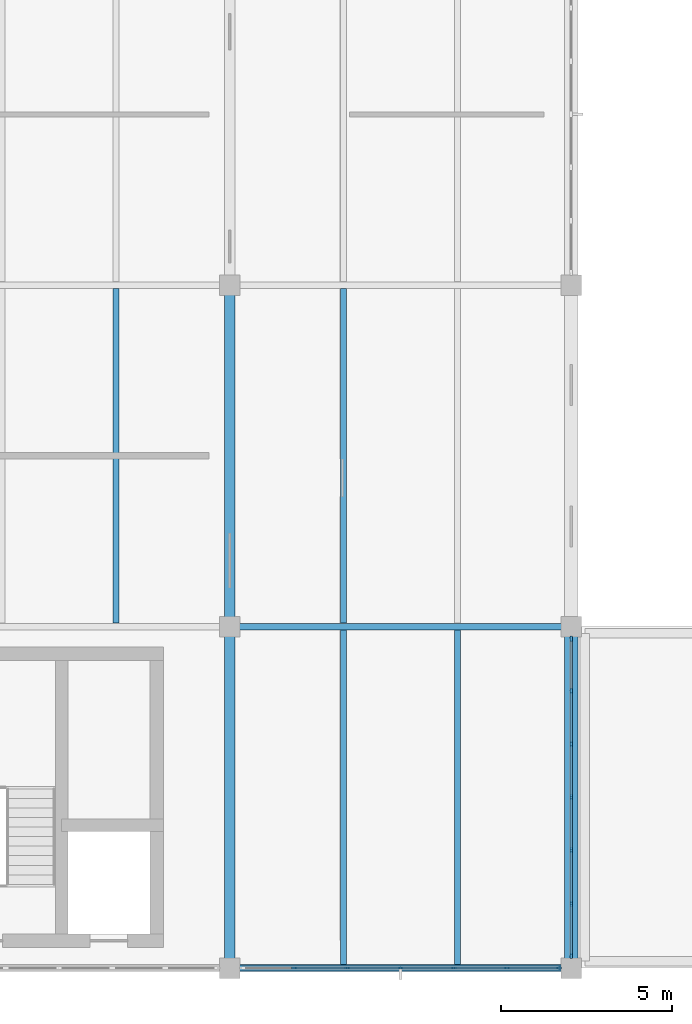
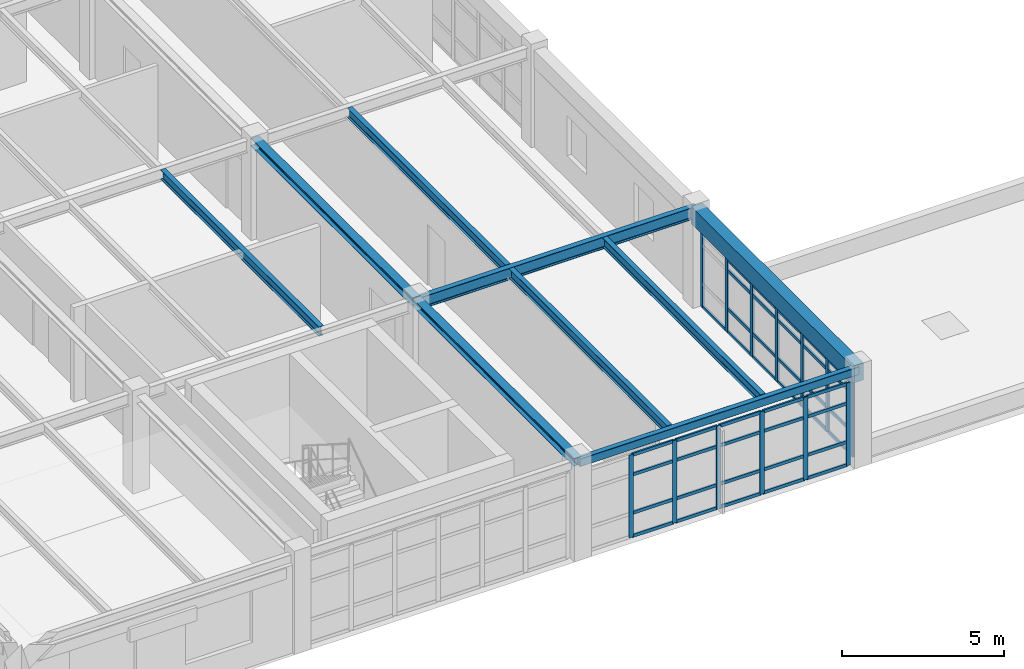
# One storey, part 7 of 23: 54 members, 9 beams, 2 elements without a shape of their own.
"""IFC4 building model written with IfcOpenShell, lengths in metres."""

from ifc_helpers import new_model, si_unit, direction, frame, origin, origin_2d, place, context, subcontext, project, spatial, rectangle, hollow_rectangle, i_section, extrude, material, layer, layer_set, material_profile, profile_set, type_object, element, aggregate, save


model = new_model("IFC4")

# Units and contexts
model_context = context("Model", 3, precision=1e-05, world=origin(), true_north=direction((0.0, 1.0)))
body_context = subcontext(model_context, "Body", "Model", "MODEL_VIEW")
ifc_project = project(units=[si_unit("LENGTHUNIT", "METRE"), si_unit("AREAUNIT", "SQUARE_METRE"), si_unit("VOLUMEUNIT", "CUBIC_METRE"), si_unit("PLANEANGLEUNIT", "RADIAN"), si_unit("MASSUNIT", "GRAM", prefix="KILO"), si_unit("THERMODYNAMICTEMPERATUREUNIT", "KELVIN"), si_unit("POWERUNIT", "WATT")], contexts=[model_context])

# Site, building, storey
site_placement = place(None, origin())
site = spatial("IfcSite", under=ifc_project, at=site_placement, CompositionType="ELEMENT")
building_placement = place(site_placement, origin())
building = spatial("IfcBuilding", under=site, at=building_placement, Name="Korenveer Ferry Terminal", CompositionType="ELEMENT")
storey_placement = place(building_placement, frame((0.0, 0.0, 14.39990234375)))
storey = spatial("IfcBuildingStorey", under=building, at=storey_placement, Name="L03", CompositionType="ELEMENT", Elevation=14.39990234375)

# Curtain wall, members
ifc_material_1 = material(Name="Unitised bronze-and-glass curtain wall", Category="glass")
ifc_layer_1 = layer(ifc_material_1, 0.159912109375)
ifc_layer_set_1 = layer_set([ifc_layer_1], Name="Unitised bronze-and-glass curtain wall")
curtain_wall_type_1 = type_object("IfcCurtainWallType", Name="ENV-CW-124", PredefinedType="USERDEFINED", material=ifc_layer_set_1)
curtain_wall_1_placement = place(storey_placement, frame((20.330078125, 20.0, 0.0)))
curtain_wall_1 = element("IfcCurtainWall", 1, at=curtain_wall_1_placement, inside=storey, type_object=curtain_wall_type_1, Name="Lancet curtain wall CWX-L03-X20-30-Y20-20", ObjectType="UNITISED CURTAIN WALL", PredefinedType="USERDEFINED")
ifc_material_2 = material(Name="Anodised bronze aluminium", Category="aluminium")
ifc_material_profile_1 = material_profile(ifc_material_2, rectangle(XDim=0.06005859375, YDim=0.159912109375, at=origin_2d()), Name="ALU 60x160")
ifc_profile_set_1 = profile_set([ifc_material_profile_1], Name="Anodised bronze aluminium")
member_type_1 = type_object("IfcMemberType", Name="ENV-CWM-60X160", PredefinedType="MULLION", material=ifc_profile_set_1)
member_1_placement = place(storey_placement, frame((21.88671875, 20.0, 0.0), z_axis=(0.0, 0.0, 1.0), x_axis=(0.0, 1.0, 0.0)))
member_1 = element("IfcMember", 2, at=member_1_placement, type_object=member_type_1, Name="CW-124 mullion 2", PredefinedType="MULLION", context=body_context, shape_type="SweptSolid", body=[
    extrude(rectangle(XDim=0.06005859375, YDim=0.159912109375, at=origin_2d()), origin(), (0.0, 0.0, 1.0), 3.1201171875),
])
member_2_placement = place(storey_placement, frame((23.443359375, 20.0, 0.0), z_axis=(0.0, 0.0, 1.0), x_axis=(0.0, 1.0, 0.0)))
member_2 = element("IfcMember", 3, at=member_2_placement, type_object=member_type_1, Name="CW-124 mullion 3", PredefinedType="MULLION", context=body_context, shape_type="SweptSolid", body=[
    extrude(rectangle(XDim=0.06005859375, YDim=0.159912109375, at=origin_2d()), origin(), (0.0, 0.0, 1.0), 3.1201171875),
])
member_3_placement = place(storey_placement, frame((25.0, 20.0, 0.0), z_axis=(0.0, 0.0, 1.0), x_axis=(0.0, 1.0, 0.0)))
member_3 = element("IfcMember", 4, at=member_3_placement, type_object=member_type_1, Name="CW-124 mullion 4", PredefinedType="MULLION", context=body_context, shape_type="SweptSolid", body=[
    extrude(rectangle(XDim=0.06005859375, YDim=0.159912109375, at=origin_2d()), origin(), (0.0, 0.0, 1.0), 3.1201171875),
])
member_4_placement = place(storey_placement, frame((26.556640625, 20.0, 0.0), z_axis=(0.0, 0.0, 1.0), x_axis=(0.0, 1.0, 0.0)))
member_4 = element("IfcMember", 5, at=member_4_placement, type_object=member_type_1, Name="CW-124 mullion 5", PredefinedType="MULLION", context=body_context, shape_type="SweptSolid", body=[
    extrude(rectangle(XDim=0.06005859375, YDim=0.159912109375, at=origin_2d()), origin(), (0.0, 0.0, 1.0), 3.1201171875),
])
member_5_placement = place(storey_placement, frame((28.11328125, 20.0, 0.0), z_axis=(0.0, 0.0, 1.0), x_axis=(0.0, 1.0, 0.0)))
member_5 = element("IfcMember", 6, at=member_5_placement, type_object=member_type_1, Name="CW-124 mullion 6", PredefinedType="MULLION", context=body_context, shape_type="SweptSolid", body=[
    extrude(rectangle(XDim=0.06005859375, YDim=0.159912109375, at=origin_2d()), origin(), (0.0, 0.0, 1.0), 3.1201171875),
])
member_6_placement = place(storey_placement, frame((29.639892578125, 20.0, 0.0), z_axis=(0.0, 0.0, 1.0), x_axis=(0.0, 1.0, 0.0)))
member_6 = element("IfcMember", 7, at=member_6_placement, type_object=member_type_1, Name="CW-124 mullion 7", PredefinedType="MULLION", context=body_context, shape_type="SweptSolid", body=[
    extrude(rectangle(XDim=0.06005859375, YDim=0.159912109375, at=origin_2d()), origin(), (0.0, 0.0, 1.0), 3.1201171875),
])

ifc_layer_2 = layer(ifc_material_1, 0.159912109375)
ifc_layer_set_2 = layer_set([ifc_layer_2], Name="Unitised bronze-and-glass curtain wall")
curtain_wall_type_2 = type_object("IfcCurtainWallType", Name="ENV-CW-127", PredefinedType="USERDEFINED", material=ifc_layer_set_2)
curtain_wall_2_placement = place(storey_placement, frame((30.0, 29.669921875, 0.0)))
curtain_wall_2 = element("IfcCurtainWall", 8, at=curtain_wall_2_placement, inside=storey, type_object=curtain_wall_type_2, Name="Lancet curtain wall CWX-L03-X30-30-Y20-30", ObjectType="UNITISED CURTAIN WALL", PredefinedType="USERDEFINED")
member_7_placement = place(storey_placement, frame((30.0, 29.639892578125, 0.0), z_axis=(0.0, 0.0, 1.0), x_axis=(1.0, 0.0, 0.0)))
member_7 = element("IfcMember", 9, at=member_7_placement, type_object=member_type_1, Name="CW-127 mullion 1", PredefinedType="MULLION", context=body_context, shape_type="SweptSolid", body=[
    extrude(rectangle(XDim=0.06005859375, YDim=0.159912109375, at=origin_2d()), origin(), (0.0, 0.0, 1.0), 2.77001953125),
])
member_8_placement = place(storey_placement, frame((30.0, 28.11328125, 0.0), z_axis=(0.0, 0.0, 1.0), x_axis=(1.0, 0.0, 0.0)))
member_8 = element("IfcMember", 10, at=member_8_placement, type_object=member_type_1, Name="CW-127 mullion 2", PredefinedType="MULLION", context=body_context, shape_type="SweptSolid", body=[
    extrude(rectangle(XDim=0.06005859375, YDim=0.159912109375, at=origin_2d()), origin(), (0.0, 0.0, 1.0), 2.77001953125),
])
member_9_placement = place(storey_placement, frame((30.0, 26.556640625, 0.0), z_axis=(0.0, 0.0, 1.0), x_axis=(1.0, 0.0, 0.0)))
member_9 = element("IfcMember", 11, at=member_9_placement, type_object=member_type_1, Name="CW-127 mullion 3", PredefinedType="MULLION", context=body_context, shape_type="SweptSolid", body=[
    extrude(rectangle(XDim=0.06005859375, YDim=0.159912109375, at=origin_2d()), origin(), (0.0, 0.0, 1.0), 2.77001953125),
])
member_10_placement = place(storey_placement, frame((30.0, 25.0, 0.0), z_axis=(0.0, 0.0, 1.0), x_axis=(1.0, 0.0, 0.0)))
member_10 = element("IfcMember", 12, at=member_10_placement, type_object=member_type_1, Name="CW-127 mullion 4", PredefinedType="MULLION", context=body_context, shape_type="SweptSolid", body=[
    extrude(rectangle(XDim=0.06005859375, YDim=0.159912109375, at=origin_2d()), origin(), (0.0, 0.0, 1.0), 2.77001953125),
])
member_11_placement = place(storey_placement, frame((30.0, 23.443359375, 0.0), z_axis=(0.0, 0.0, 1.0), x_axis=(1.0, 0.0, 0.0)))
member_11 = element("IfcMember", 13, at=member_11_placement, type_object=member_type_1, Name="CW-127 mullion 5", PredefinedType="MULLION", context=body_context, shape_type="SweptSolid", body=[
    extrude(rectangle(XDim=0.06005859375, YDim=0.159912109375, at=origin_2d()), origin(), (0.0, 0.0, 1.0), 2.77001953125),
])
member_12_placement = place(storey_placement, frame((30.0, 21.88671875, 0.0), z_axis=(0.0, 0.0, 1.0), x_axis=(1.0, 0.0, 0.0)))
member_12 = element("IfcMember", 14, at=member_12_placement, type_object=member_type_1, Name="CW-127 mullion 6", PredefinedType="MULLION", context=body_context, shape_type="SweptSolid", body=[
    extrude(rectangle(XDim=0.06005859375, YDim=0.159912109375, at=origin_2d()), origin(), (0.0, 0.0, 1.0), 2.77001953125),
])
member_13_placement = place(storey_placement, frame((30.0, 20.360107421875, 0.0), z_axis=(0.0, 0.0, 1.0), x_axis=(1.0, 0.0, 0.0)))
member_13 = element("IfcMember", 15, at=member_13_placement, type_object=member_type_1, Name="CW-127 mullion 7", PredefinedType="MULLION", context=body_context, shape_type="SweptSolid", body=[
    extrude(rectangle(XDim=0.06005859375, YDim=0.159912109375, at=origin_2d()), origin(), (0.0, 0.0, 1.0), 2.77001953125),
])

# Member
ifc_material_profile_2 = material_profile(ifc_material_2, rectangle(XDim=0.06005859375, YDim=0.1201171875, at=origin_2d()), Name="ALU 60x120")
ifc_profile_set_2 = profile_set([ifc_material_profile_2], Name="Anodised bronze aluminium")
member_type_2 = type_object("IfcMemberType", Name="ENV-CWT-60X120", PredefinedType="USERDEFINED", material=ifc_profile_set_2)
member_14_placement = place(storey_placement, frame((21.916748046875, 20.0, 0.030029296875), z_axis=(1.0, 0.0, 0.0), x_axis=(0.0, 1.0, 0.0)))
member_14 = element("IfcMember", 16, at=member_14_placement, type_object=member_type_2, Name="CW-124 transom 2.1", ObjectType="TRANSOM", PredefinedType="USERDEFINED", context=body_context, shape_type="SweptSolid", body=[
    extrude(rectangle(XDim=0.06005859375, YDim=0.1201171875, at=origin_2d()), origin(), (0.0, 0.0, 1.0), 1.49658203125),
])

member_15_placement = place(storey_placement, frame((21.916748046875, 20.0, 0.900146484375), z_axis=(1.0, 0.0, 0.0), x_axis=(0.0, 1.0, 0.0)))
member_15 = element("IfcMember", 17, at=member_15_placement, type_object=member_type_2, Name="CW-124 transom 2.2", ObjectType="TRANSOM", PredefinedType="USERDEFINED", context=body_context, shape_type="SweptSolid", body=[
    extrude(rectangle(XDim=0.06005859375, YDim=0.1201171875, at=origin_2d()), origin(), (0.0, 0.0, 1.0), 1.49658203125),
])

member_16_placement = place(storey_placement, frame((21.916748046875, 20.0, 2.35009765625), z_axis=(1.0, 0.0, 0.0), x_axis=(0.0, 1.0, 0.0)))
member_16 = element("IfcMember", 18, at=member_16_placement, type_object=member_type_2, Name="CW-124 transom 2.3", ObjectType="TRANSOM", PredefinedType="USERDEFINED", context=body_context, shape_type="SweptSolid", body=[
    extrude(rectangle(XDim=0.06005859375, YDim=0.1201171875, at=origin_2d()), origin(), (0.0, 0.0, 1.0), 1.49658203125),
])

member_17_placement = place(storey_placement, frame((21.916748046875, 20.0, 3.090087890625), z_axis=(1.0, 0.0, 0.0), x_axis=(0.0, 1.0, 0.0)))
member_17 = element("IfcMember", 19, at=member_17_placement, type_object=member_type_2, Name="CW-124 transom 2.4", ObjectType="TRANSOM", PredefinedType="USERDEFINED", context=body_context, shape_type="SweptSolid", body=[
    extrude(rectangle(XDim=0.06005859375, YDim=0.1201171875, at=origin_2d()), origin(), (0.0, 0.0, 1.0), 1.49658203125),
])

member_18_placement = place(storey_placement, frame((23.473388671875, 20.0, 0.030029296875), z_axis=(1.0, 0.0, 0.0), x_axis=(0.0, 1.0, 0.0)))
member_18 = element("IfcMember", 20, at=member_18_placement, type_object=member_type_2, Name="CW-124 transom 3.1", ObjectType="TRANSOM", PredefinedType="USERDEFINED", context=body_context, shape_type="SweptSolid", body=[
    extrude(rectangle(XDim=0.06005859375, YDim=0.1201171875, at=origin_2d()), origin(), (0.0, 0.0, 1.0), 1.49658203125),
])

member_19_placement = place(storey_placement, frame((23.473388671875, 20.0, 0.900146484375), z_axis=(1.0, 0.0, 0.0), x_axis=(0.0, 1.0, 0.0)))
member_19 = element("IfcMember", 21, at=member_19_placement, type_object=member_type_2, Name="CW-124 transom 3.2", ObjectType="TRANSOM", PredefinedType="USERDEFINED", context=body_context, shape_type="SweptSolid", body=[
    extrude(rectangle(XDim=0.06005859375, YDim=0.1201171875, at=origin_2d()), origin(), (0.0, 0.0, 1.0), 1.49658203125),
])

member_20_placement = place(storey_placement, frame((23.473388671875, 20.0, 2.35009765625), z_axis=(1.0, 0.0, 0.0), x_axis=(0.0, 1.0, 0.0)))
member_20 = element("IfcMember", 22, at=member_20_placement, type_object=member_type_2, Name="CW-124 transom 3.3", ObjectType="TRANSOM", PredefinedType="USERDEFINED", context=body_context, shape_type="SweptSolid", body=[
    extrude(rectangle(XDim=0.06005859375, YDim=0.1201171875, at=origin_2d()), origin(), (0.0, 0.0, 1.0), 1.49658203125),
])

member_21_placement = place(storey_placement, frame((23.473388671875, 20.0, 3.090087890625), z_axis=(1.0, 0.0, 0.0), x_axis=(0.0, 1.0, 0.0)))
member_21 = element("IfcMember", 23, at=member_21_placement, type_object=member_type_2, Name="CW-124 transom 3.4", ObjectType="TRANSOM", PredefinedType="USERDEFINED", context=body_context, shape_type="SweptSolid", body=[
    extrude(rectangle(XDim=0.06005859375, YDim=0.1201171875, at=origin_2d()), origin(), (0.0, 0.0, 1.0), 1.49658203125),
])

member_22_placement = place(storey_placement, frame((25.030029296875, 20.0, 0.030029296875), z_axis=(1.0, 0.0, 0.0), x_axis=(0.0, 1.0, 0.0)))
member_22 = element("IfcMember", 24, at=member_22_placement, type_object=member_type_2, Name="CW-124 transom 4.1", ObjectType="TRANSOM", PredefinedType="USERDEFINED", context=body_context, shape_type="SweptSolid", body=[
    extrude(rectangle(XDim=0.06005859375, YDim=0.1201171875, at=origin_2d()), origin(), (0.0, 0.0, 1.0), 1.49658203125),
])

member_23_placement = place(storey_placement, frame((25.030029296875, 20.0, 0.900146484375), z_axis=(1.0, 0.0, 0.0), x_axis=(0.0, 1.0, 0.0)))
member_23 = element("IfcMember", 25, at=member_23_placement, type_object=member_type_2, Name="CW-124 transom 4.2", ObjectType="TRANSOM", PredefinedType="USERDEFINED", context=body_context, shape_type="SweptSolid", body=[
    extrude(rectangle(XDim=0.06005859375, YDim=0.1201171875, at=origin_2d()), origin(), (0.0, 0.0, 1.0), 1.49658203125),
])

member_24_placement = place(storey_placement, frame((25.030029296875, 20.0, 2.35009765625), z_axis=(1.0, 0.0, 0.0), x_axis=(0.0, 1.0, 0.0)))
member_24 = element("IfcMember", 26, at=member_24_placement, type_object=member_type_2, Name="CW-124 transom 4.3", ObjectType="TRANSOM", PredefinedType="USERDEFINED", context=body_context, shape_type="SweptSolid", body=[
    extrude(rectangle(XDim=0.06005859375, YDim=0.1201171875, at=origin_2d()), origin(), (0.0, 0.0, 1.0), 1.49658203125),
])

member_25_placement = place(storey_placement, frame((25.030029296875, 20.0, 3.090087890625), z_axis=(1.0, 0.0, 0.0), x_axis=(0.0, 1.0, 0.0)))
member_25 = element("IfcMember", 27, at=member_25_placement, type_object=member_type_2, Name="CW-124 transom 4.4", ObjectType="TRANSOM", PredefinedType="USERDEFINED", context=body_context, shape_type="SweptSolid", body=[
    extrude(rectangle(XDim=0.06005859375, YDim=0.1201171875, at=origin_2d()), origin(), (0.0, 0.0, 1.0), 1.49658203125),
])

member_26_placement = place(storey_placement, frame((26.586669921875, 20.0, 0.030029296875), z_axis=(1.0, 0.0, 0.0), x_axis=(0.0, 1.0, 0.0)))
member_26 = element("IfcMember", 28, at=member_26_placement, type_object=member_type_2, Name="CW-124 transom 5.1", ObjectType="TRANSOM", PredefinedType="USERDEFINED", context=body_context, shape_type="SweptSolid", body=[
    extrude(rectangle(XDim=0.06005859375, YDim=0.1201171875, at=origin_2d()), origin(), (0.0, 0.0, 1.0), 1.49658203125),
])

member_27_placement = place(storey_placement, frame((26.586669921875, 20.0, 0.900146484375), z_axis=(1.0, 0.0, 0.0), x_axis=(0.0, 1.0, 0.0)))
member_27 = element("IfcMember", 29, at=member_27_placement, type_object=member_type_2, Name="CW-124 transom 5.2", ObjectType="TRANSOM", PredefinedType="USERDEFINED", context=body_context, shape_type="SweptSolid", body=[
    extrude(rectangle(XDim=0.06005859375, YDim=0.1201171875, at=origin_2d()), origin(), (0.0, 0.0, 1.0), 1.49658203125),
])

member_28_placement = place(storey_placement, frame((26.586669921875, 20.0, 2.35009765625), z_axis=(1.0, 0.0, 0.0), x_axis=(0.0, 1.0, 0.0)))
member_28 = element("IfcMember", 30, at=member_28_placement, type_object=member_type_2, Name="CW-124 transom 5.3", ObjectType="TRANSOM", PredefinedType="USERDEFINED", context=body_context, shape_type="SweptSolid", body=[
    extrude(rectangle(XDim=0.06005859375, YDim=0.1201171875, at=origin_2d()), origin(), (0.0, 0.0, 1.0), 1.49658203125),
])

member_29_placement = place(storey_placement, frame((26.586669921875, 20.0, 3.090087890625), z_axis=(1.0, 0.0, 0.0), x_axis=(0.0, 1.0, 0.0)))
member_29 = element("IfcMember", 31, at=member_29_placement, type_object=member_type_2, Name="CW-124 transom 5.4", ObjectType="TRANSOM", PredefinedType="USERDEFINED", context=body_context, shape_type="SweptSolid", body=[
    extrude(rectangle(XDim=0.06005859375, YDim=0.1201171875, at=origin_2d()), origin(), (0.0, 0.0, 1.0), 1.49658203125),
])

member_30_placement = place(storey_placement, frame((28.143310546875, 20.0, 0.030029296875), z_axis=(1.0, 0.0, 0.0), x_axis=(0.0, 1.0, 0.0)))
member_30 = element("IfcMember", 32, at=member_30_placement, type_object=member_type_2, Name="CW-124 transom 6.1", ObjectType="TRANSOM", PredefinedType="USERDEFINED", context=body_context, shape_type="SweptSolid", body=[
    extrude(rectangle(XDim=0.06005859375, YDim=0.1201171875, at=origin_2d()), origin(), (0.0, 0.0, 1.0), 1.466796875),
])

member_31_placement = place(storey_placement, frame((28.143310546875, 20.0, 0.900146484375), z_axis=(1.0, 0.0, 0.0), x_axis=(0.0, 1.0, 0.0)))
member_31 = element("IfcMember", 33, at=member_31_placement, type_object=member_type_2, Name="CW-124 transom 6.2", ObjectType="TRANSOM", PredefinedType="USERDEFINED", context=body_context, shape_type="SweptSolid", body=[
    extrude(rectangle(XDim=0.06005859375, YDim=0.1201171875, at=origin_2d()), origin(), (0.0, 0.0, 1.0), 1.466796875),
])

member_32_placement = place(storey_placement, frame((28.143310546875, 20.0, 2.35009765625), z_axis=(1.0, 0.0, 0.0), x_axis=(0.0, 1.0, 0.0)))
member_32 = element("IfcMember", 34, at=member_32_placement, type_object=member_type_2, Name="CW-124 transom 6.3", ObjectType="TRANSOM", PredefinedType="USERDEFINED", context=body_context, shape_type="SweptSolid", body=[
    extrude(rectangle(XDim=0.06005859375, YDim=0.1201171875, at=origin_2d()), origin(), (0.0, 0.0, 1.0), 1.466796875),
])

member_33_placement = place(storey_placement, frame((28.143310546875, 20.0, 3.090087890625), z_axis=(1.0, 0.0, 0.0), x_axis=(0.0, 1.0, 0.0)))
member_33 = element("IfcMember", 35, at=member_33_placement, type_object=member_type_2, Name="CW-124 transom 6.4", ObjectType="TRANSOM", PredefinedType="USERDEFINED", context=body_context, shape_type="SweptSolid", body=[
    extrude(rectangle(XDim=0.06005859375, YDim=0.1201171875, at=origin_2d()), origin(), (0.0, 0.0, 1.0), 1.466796875),
])

aggregate(curtain_wall_1, [member_1, member_2, member_3, member_4, member_5, member_6, member_14, member_15, member_16, member_17, member_18, member_19, member_20, member_21, member_22, member_23, member_24, member_25, member_26, member_27, member_28, member_29, member_30, member_31, member_32, member_33])

member_34_placement = place(storey_placement, frame((30.0, 29.610107421875, 0.030029296875), z_axis=(0.0, -1.0, 0.0), x_axis=(1.0, 0.0, 0.0)))
member_34 = element("IfcMember", 36, at=member_34_placement, type_object=member_type_2, Name="CW-127 transom 1.1", ObjectType="TRANSOM", PredefinedType="USERDEFINED", context=body_context, shape_type="SweptSolid", body=[
    extrude(rectangle(XDim=0.06005859375, YDim=0.1201171875, at=origin_2d()), origin(), (0.0, 0.0, 1.0), 1.466796875),
])

member_35_placement = place(storey_placement, frame((30.0, 28.083251953125, 0.030029296875), z_axis=(0.0, -1.0, 0.0), x_axis=(1.0, 0.0, 0.0)))
member_35 = element("IfcMember", 37, at=member_35_placement, type_object=member_type_2, Name="CW-127 transom 2.1", ObjectType="TRANSOM", PredefinedType="USERDEFINED", context=body_context, shape_type="SweptSolid", body=[
    extrude(rectangle(XDim=0.06005859375, YDim=0.1201171875, at=origin_2d()), origin(), (0.0, 0.0, 1.0), 1.49658203125),
])

member_36_placement = place(storey_placement, frame((30.0, 28.083251953125, 0.900146484375), z_axis=(0.0, -1.0, 0.0), x_axis=(1.0, 0.0, 0.0)))
member_36 = element("IfcMember", 38, at=member_36_placement, type_object=member_type_2, Name="CW-127 transom 2.2", ObjectType="TRANSOM", PredefinedType="USERDEFINED", context=body_context, shape_type="SweptSolid", body=[
    extrude(rectangle(XDim=0.06005859375, YDim=0.1201171875, at=origin_2d()), origin(), (0.0, 0.0, 1.0), 1.49658203125),
])

member_37_placement = place(storey_placement, frame((30.0, 28.083251953125, 2.35009765625), z_axis=(0.0, -1.0, 0.0), x_axis=(1.0, 0.0, 0.0)))
member_37 = element("IfcMember", 39, at=member_37_placement, type_object=member_type_2, Name="CW-127 transom 2.3", ObjectType="TRANSOM", PredefinedType="USERDEFINED", context=body_context, shape_type="SweptSolid", body=[
    extrude(rectangle(XDim=0.06005859375, YDim=0.1201171875, at=origin_2d()), origin(), (0.0, 0.0, 1.0), 1.49658203125),
])

member_38_placement = place(storey_placement, frame((30.0, 28.083251953125, 2.739990234375), z_axis=(0.0, -1.0, 0.0), x_axis=(1.0, 0.0, 0.0)))
member_38 = element("IfcMember", 40, at=member_38_placement, type_object=member_type_2, Name="CW-127 transom 2.4", ObjectType="TRANSOM", PredefinedType="USERDEFINED", context=body_context, shape_type="SweptSolid", body=[
    extrude(rectangle(XDim=0.06005859375, YDim=0.1201171875, at=origin_2d()), origin(), (0.0, 0.0, 1.0), 1.49658203125),
])

member_39_placement = place(storey_placement, frame((30.0, 26.526611328125, 0.030029296875), z_axis=(0.0, -1.0, 0.0), x_axis=(1.0, 0.0, 0.0)))
member_39 = element("IfcMember", 41, at=member_39_placement, type_object=member_type_2, Name="CW-127 transom 3.1", ObjectType="TRANSOM", PredefinedType="USERDEFINED", context=body_context, shape_type="SweptSolid", body=[
    extrude(rectangle(XDim=0.06005859375, YDim=0.1201171875, at=origin_2d()), origin(), (0.0, 0.0, 1.0), 1.49658203125),
])

member_40_placement = place(storey_placement, frame((30.0, 26.526611328125, 0.900146484375), z_axis=(0.0, -1.0, 0.0), x_axis=(1.0, 0.0, 0.0)))
member_40 = element("IfcMember", 42, at=member_40_placement, type_object=member_type_2, Name="CW-127 transom 3.2", ObjectType="TRANSOM", PredefinedType="USERDEFINED", context=body_context, shape_type="SweptSolid", body=[
    extrude(rectangle(XDim=0.06005859375, YDim=0.1201171875, at=origin_2d()), origin(), (0.0, 0.0, 1.0), 1.49658203125),
])

member_41_placement = place(storey_placement, frame((30.0, 26.526611328125, 2.35009765625), z_axis=(0.0, -1.0, 0.0), x_axis=(1.0, 0.0, 0.0)))
member_41 = element("IfcMember", 43, at=member_41_placement, type_object=member_type_2, Name="CW-127 transom 3.3", ObjectType="TRANSOM", PredefinedType="USERDEFINED", context=body_context, shape_type="SweptSolid", body=[
    extrude(rectangle(XDim=0.06005859375, YDim=0.1201171875, at=origin_2d()), origin(), (0.0, 0.0, 1.0), 1.49658203125),
])

member_42_placement = place(storey_placement, frame((30.0, 26.526611328125, 2.739990234375), z_axis=(0.0, -1.0, 0.0), x_axis=(1.0, 0.0, 0.0)))
member_42 = element("IfcMember", 44, at=member_42_placement, type_object=member_type_2, Name="CW-127 transom 3.4", ObjectType="TRANSOM", PredefinedType="USERDEFINED", context=body_context, shape_type="SweptSolid", body=[
    extrude(rectangle(XDim=0.06005859375, YDim=0.1201171875, at=origin_2d()), origin(), (0.0, 0.0, 1.0), 1.49658203125),
])

member_43_placement = place(storey_placement, frame((30.0, 24.969970703125, 0.030029296875), z_axis=(0.0, -1.0, 0.0), x_axis=(1.0, 0.0, 0.0)))
member_43 = element("IfcMember", 45, at=member_43_placement, type_object=member_type_2, Name="CW-127 transom 4.1", ObjectType="TRANSOM", PredefinedType="USERDEFINED", context=body_context, shape_type="SweptSolid", body=[
    extrude(rectangle(XDim=0.06005859375, YDim=0.1201171875, at=origin_2d()), origin(), (0.0, 0.0, 1.0), 1.49658203125),
])

member_44_placement = place(storey_placement, frame((30.0, 24.969970703125, 0.900146484375), z_axis=(0.0, -1.0, 0.0), x_axis=(1.0, 0.0, 0.0)))
member_44 = element("IfcMember", 46, at=member_44_placement, type_object=member_type_2, Name="CW-127 transom 4.2", ObjectType="TRANSOM", PredefinedType="USERDEFINED", context=body_context, shape_type="SweptSolid", body=[
    extrude(rectangle(XDim=0.06005859375, YDim=0.1201171875, at=origin_2d()), origin(), (0.0, 0.0, 1.0), 1.49658203125),
])

member_45_placement = place(storey_placement, frame((30.0, 24.969970703125, 2.35009765625), z_axis=(0.0, -1.0, 0.0), x_axis=(1.0, 0.0, 0.0)))
member_45 = element("IfcMember", 47, at=member_45_placement, type_object=member_type_2, Name="CW-127 transom 4.3", ObjectType="TRANSOM", PredefinedType="USERDEFINED", context=body_context, shape_type="SweptSolid", body=[
    extrude(rectangle(XDim=0.06005859375, YDim=0.1201171875, at=origin_2d()), origin(), (0.0, 0.0, 1.0), 1.49658203125),
])

member_46_placement = place(storey_placement, frame((30.0, 24.969970703125, 2.739990234375), z_axis=(0.0, -1.0, 0.0), x_axis=(1.0, 0.0, 0.0)))
member_46 = element("IfcMember", 48, at=member_46_placement, type_object=member_type_2, Name="CW-127 transom 4.4", ObjectType="TRANSOM", PredefinedType="USERDEFINED", context=body_context, shape_type="SweptSolid", body=[
    extrude(rectangle(XDim=0.06005859375, YDim=0.1201171875, at=origin_2d()), origin(), (0.0, 0.0, 1.0), 1.49658203125),
])

member_47_placement = place(storey_placement, frame((30.0, 23.413330078125, 0.030029296875), z_axis=(0.0, -1.0, 0.0), x_axis=(1.0, 0.0, 0.0)))
member_47 = element("IfcMember", 49, at=member_47_placement, type_object=member_type_2, Name="CW-127 transom 5.1", ObjectType="TRANSOM", PredefinedType="USERDEFINED", context=body_context, shape_type="SweptSolid", body=[
    extrude(rectangle(XDim=0.06005859375, YDim=0.1201171875, at=origin_2d()), origin(), (0.0, 0.0, 1.0), 1.49658203125),
])

member_48_placement = place(storey_placement, frame((30.0, 23.413330078125, 0.900146484375), z_axis=(0.0, -1.0, 0.0), x_axis=(1.0, 0.0, 0.0)))
member_48 = element("IfcMember", 50, at=member_48_placement, type_object=member_type_2, Name="CW-127 transom 5.2", ObjectType="TRANSOM", PredefinedType="USERDEFINED", context=body_context, shape_type="SweptSolid", body=[
    extrude(rectangle(XDim=0.06005859375, YDim=0.1201171875, at=origin_2d()), origin(), (0.0, 0.0, 1.0), 1.49658203125),
])

member_49_placement = place(storey_placement, frame((30.0, 23.413330078125, 2.35009765625), z_axis=(0.0, -1.0, 0.0), x_axis=(1.0, 0.0, 0.0)))
member_49 = element("IfcMember", 51, at=member_49_placement, type_object=member_type_2, Name="CW-127 transom 5.3", ObjectType="TRANSOM", PredefinedType="USERDEFINED", context=body_context, shape_type="SweptSolid", body=[
    extrude(rectangle(XDim=0.06005859375, YDim=0.1201171875, at=origin_2d()), origin(), (0.0, 0.0, 1.0), 1.49658203125),
])

member_50_placement = place(storey_placement, frame((30.0, 23.413330078125, 2.739990234375), z_axis=(0.0, -1.0, 0.0), x_axis=(1.0, 0.0, 0.0)))
member_50 = element("IfcMember", 52, at=member_50_placement, type_object=member_type_2, Name="CW-127 transom 5.4", ObjectType="TRANSOM", PredefinedType="USERDEFINED", context=body_context, shape_type="SweptSolid", body=[
    extrude(rectangle(XDim=0.06005859375, YDim=0.1201171875, at=origin_2d()), origin(), (0.0, 0.0, 1.0), 1.49658203125),
])

member_51_placement = place(storey_placement, frame((30.0, 21.856689453125, 0.030029296875), z_axis=(0.0, -1.0, 0.0), x_axis=(1.0, 0.0, 0.0)))
member_51 = element("IfcMember", 53, at=member_51_placement, type_object=member_type_2, Name="CW-127 transom 6.1", ObjectType="TRANSOM", PredefinedType="USERDEFINED", context=body_context, shape_type="SweptSolid", body=[
    extrude(rectangle(XDim=0.06005859375, YDim=0.1201171875, at=origin_2d()), origin(), (0.0, 0.0, 1.0), 1.466796875),
])

member_52_placement = place(storey_placement, frame((30.0, 21.856689453125, 0.900146484375), z_axis=(0.0, -1.0, 0.0), x_axis=(1.0, 0.0, 0.0)))
member_52 = element("IfcMember", 54, at=member_52_placement, type_object=member_type_2, Name="CW-127 transom 6.2", ObjectType="TRANSOM", PredefinedType="USERDEFINED", context=body_context, shape_type="SweptSolid", body=[
    extrude(rectangle(XDim=0.06005859375, YDim=0.1201171875, at=origin_2d()), origin(), (0.0, 0.0, 1.0), 1.466796875),
])

member_53_placement = place(storey_placement, frame((30.0, 21.856689453125, 2.35009765625), z_axis=(0.0, -1.0, 0.0), x_axis=(1.0, 0.0, 0.0)))
member_53 = element("IfcMember", 55, at=member_53_placement, type_object=member_type_2, Name="CW-127 transom 6.3", ObjectType="TRANSOM", PredefinedType="USERDEFINED", context=body_context, shape_type="SweptSolid", body=[
    extrude(rectangle(XDim=0.06005859375, YDim=0.1201171875, at=origin_2d()), origin(), (0.0, 0.0, 1.0), 1.466796875),
])

member_54_placement = place(storey_placement, frame((30.0, 21.856689453125, 2.739990234375), z_axis=(0.0, -1.0, 0.0), x_axis=(1.0, 0.0, 0.0)))
member_54 = element("IfcMember", 56, at=member_54_placement, type_object=member_type_2, Name="CW-127 transom 6.4", ObjectType="TRANSOM", PredefinedType="USERDEFINED", context=body_context, shape_type="SweptSolid", body=[
    extrude(rectangle(XDim=0.06005859375, YDim=0.1201171875, at=origin_2d()), origin(), (0.0, 0.0, 1.0), 1.466796875),
])

aggregate(curtain_wall_2, [member_7, member_8, member_9, member_10, member_11, member_12, member_13, member_34, member_35, member_36, member_37, member_38, member_39, member_40, member_41, member_42, member_43, member_44, member_45, member_46, member_47, member_48, member_49, member_50, member_51, member_52, member_53, member_54])

# Beams
ifc_material_3 = material(Name="Steel S355", Category="steel")
ifc_material_profile_3 = material_profile(ifc_material_3, i_section(OverallWidth=0.300048828125, OverallDepth=0.2900390625, WebThickness=0.008544921875, FlangeThickness=0.013916015625, FilletRadius=0.027099609375, at=origin_2d()), Name="HEA 300")
ifc_profile_set_3 = profile_set([ifc_material_profile_3], Name="Steel S355")
beam_type_1 = type_object("IfcBeamType", Name="STR-BM-HEA300", PredefinedType="BEAM", material=ifc_profile_set_3)
for number, where, z_axis, x_axis, name in (
    (57, (20.0, 20.02001953125, 3.505126953125), (0.0, 1.0, 0.0), (-1.0, 0.0, 0.0), "Primary Y girder BMY-L04-X20-Y20-30"),
    (58, (20.0, 30.02001953125, 3.505126953125), (0.0, 1.0, 0.0), (-1.0, 0.0, 0.0), "Primary Y girder BMY-L04-X20-Y30-40"),
):
    element("IfcBeam", number, at=place(storey_placement, frame(where, z_axis=z_axis, x_axis=x_axis)), inside=storey, type_object=beam_type_1, Name=name, PredefinedType="BEAM", context=body_context, shape_type="SweptSolid", body=[
        extrude(i_section(OverallWidth=0.300048828125, OverallDepth=0.2900390625, WebThickness=0.008544921875, FlangeThickness=0.013916015625, FilletRadius=0.027099609375, at=origin_2d()), origin(), (0.0, 0.0, 1.0), 9.9599609375),
    ])
ifc_material_profile_4 = material_profile(ifc_material_3, i_section(OverallWidth=0.18994140625, OverallDepth=0.449951171875, WebThickness=0.009521484375, FlangeThickness=0.0146484375, FilletRadius=0.02099609375, at=origin_2d()), Name="IPE 450")
ifc_profile_set_4 = profile_set([ifc_material_profile_4], Name="Steel S355")
beam_type_2 = type_object("IfcBeamType", Name="STR-BM-IPE450", PredefinedType="BEAM", material=ifc_profile_set_4)
beam_1_placement = place(storey_placement, frame((20.02001953125, 30.0, 3.425048828125), z_axis=(1.0, 0.0, 0.0), x_axis=(0.0, 1.0, 0.0)))
element("IfcBeam", 59, at=beam_1_placement, inside=storey, type_object=beam_type_2, Name="Primary X girder BMX-L04-X20-30-Y30", PredefinedType="BEAM", context=body_context, shape_type="SweptSolid", body=[
    extrude(i_section(OverallWidth=0.18994140625, OverallDepth=0.449951171875, WebThickness=0.009521484375, FlangeThickness=0.0146484375, FilletRadius=0.02099609375, at=origin_2d()), origin(), (0.0, 0.0, 1.0), 9.9599609375),
])
ifc_material_4 = material(Name="Concrete C40/50", Category="concrete")
ifc_material_profile_5 = material_profile(ifc_material_4, rectangle(XDim=0.39990234375, YDim=0.64990234375, at=origin_2d()), Name="RC 400x650")
ifc_profile_set_5 = profile_set([ifc_material_profile_5], Name="Concrete C40/50")
beam_type_3 = type_object("IfcBeamType", Name="STR-BM-RC400X650", PredefinedType="BEAM", material=ifc_profile_set_5)
beam_2_placement = place(storey_placement, frame((30.0, 20.02001953125, 3.3251953125), z_axis=(0.0, 1.0, 0.0), x_axis=(-1.0, 0.0, 0.0)))
element("IfcBeam", 60, at=beam_2_placement, inside=storey, type_object=beam_type_3, Name="Primary Y girder BMY-L04-X30-Y20-30", PredefinedType="BEAM", context=body_context, shape_type="SweptSolid", body=[
    extrude(rectangle(XDim=0.39990234375, YDim=0.64990234375, at=origin_2d()), origin(), (0.0, 0.0, 1.0), 9.9599609375),
])
ifc_material_profile_6 = material_profile(ifc_material_3, i_section(OverallWidth=0.169921875, OverallDepth=0.360107421875, WebThickness=0.008056640625, FlangeThickness=0.0126953125, FilletRadius=0.01806640625, at=origin_2d()), Name="IPE 360")
ifc_profile_set_6 = profile_set([ifc_material_profile_6], Name="Steel S355")
beam_type_4 = type_object("IfcBeamType", Name="STR-JST-IPE360", PredefinedType="JOIST", material=ifc_profile_set_6)
beam_3_placement = place(storey_placement, frame((16.666748046875, 30.10498046875, 3.47021484375), z_axis=(0.0, 1.0, 0.0), x_axis=(-1.0, 0.0, 0.0)))
element("IfcBeam", 61, at=beam_3_placement, inside=storey, type_object=beam_type_4, Name="Secondary composite joist JST-L04-X167-Y30-40", PredefinedType="JOIST", context=body_context, shape_type="SweptSolid", body=[
    extrude(i_section(OverallWidth=0.169921875, OverallDepth=0.360107421875, WebThickness=0.008056640625, FlangeThickness=0.0126953125, FilletRadius=0.01806640625, at=origin_2d()), origin(), (0.0, 0.0, 1.0), 9.7900390625),
])
for number, where, z_axis, x_axis, name in (
    (62, (23.333251953125, 20.110107421875, 3.47021484375), (0.0, 1.0, 0.0), (-1.0, 0.0, 0.0), "Secondary composite joist JST-L04-X233-Y20-30"),
    (63, (26.666748046875, 20.110107421875, 3.47021484375), (0.0, 1.0, 0.0), (-1.0, 0.0, 0.0), "Secondary composite joist JST-L04-X267-Y20-30"),
):
    element("IfcBeam", number, at=place(storey_placement, frame(where, z_axis=z_axis, x_axis=x_axis)), inside=storey, type_object=beam_type_4, Name=name, PredefinedType="JOIST", context=body_context, shape_type="SweptSolid", body=[
        extrude(i_section(OverallWidth=0.169921875, OverallDepth=0.360107421875, WebThickness=0.008056640625, FlangeThickness=0.0126953125, FilletRadius=0.01806640625, at=origin_2d()), origin(), (0.0, 0.0, 1.0), 9.784912109375),
    ])
beam_4_placement = place(storey_placement, frame((23.333251953125, 30.10498046875, 3.47021484375), z_axis=(0.0, 1.0, 0.0), x_axis=(-1.0, 0.0, 0.0)))
element("IfcBeam", 64, at=beam_4_placement, inside=storey, type_object=beam_type_4, Name="Secondary composite joist JST-L04-X233-Y30-40", PredefinedType="JOIST", context=body_context, shape_type="SweptSolid", body=[
    extrude(i_section(OverallWidth=0.169921875, OverallDepth=0.360107421875, WebThickness=0.008056640625, FlangeThickness=0.0126953125, FilletRadius=0.01806640625, at=origin_2d()), origin(), (0.0, 0.0, 1.0), 9.7900390625),
])
ifc_material_profile_7 = material_profile(ifc_material_3, hollow_rectangle(XDim=0.199951171875, YDim=0.300048828125, WallThickness=0.012451171875, InnerFilletRadius=0.012451171875, OuterFilletRadius=0.018798828125, at=origin_2d()), Name="RHS 300x200x12.5")
ifc_profile_set_7 = profile_set([ifc_material_profile_7], Name="Steel S355")
beam_type_5 = type_object("IfcBeamType", Name="STR-SPD-RHS300", PredefinedType="SPANDREL", material=ifc_profile_set_7)
beam_5_placement = place(storey_placement, frame((20.02001953125, 20.0, 3.5), z_axis=(1.0, 0.0, 0.0), x_axis=(0.0, 1.0, 0.0)))
element("IfcBeam", 65, at=beam_5_placement, inside=storey, type_object=beam_type_5, Name="Primary X girder BMX-L04-X20-30-Y20", PredefinedType="SPANDREL", context=body_context, shape_type="SweptSolid", body=[
    extrude(hollow_rectangle(XDim=0.199951171875, YDim=0.300048828125, WallThickness=0.012451171875, InnerFilletRadius=0.012451171875, OuterFilletRadius=0.018798828125, at=origin_2d()), origin(), (0.0, 0.0, 1.0), 9.9599609375),
])

save(model, "model.ifc")
